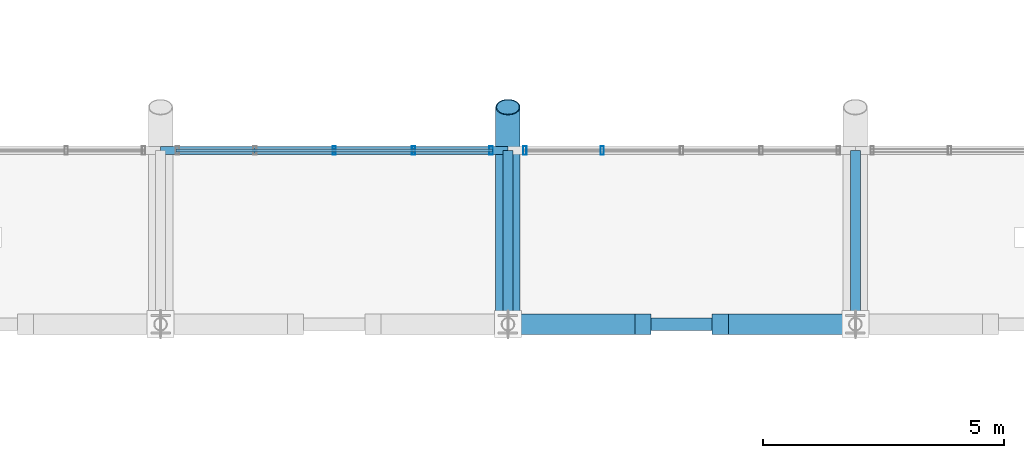
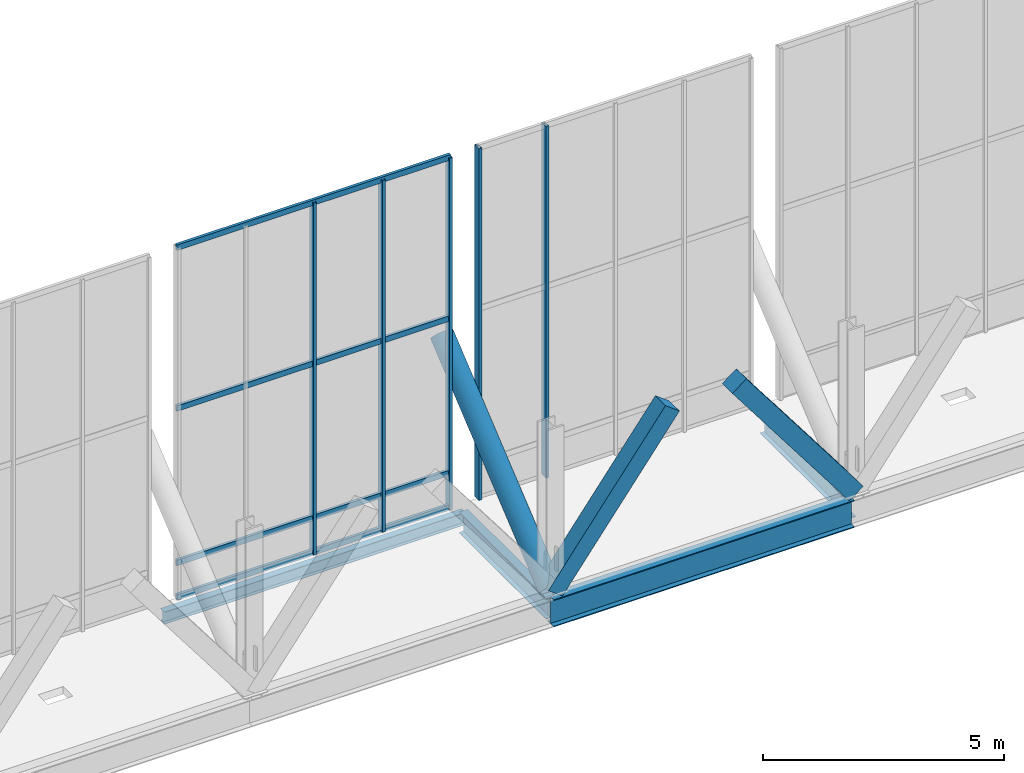
# One storey, part 30 of 102: 12 members, 4 beams, 2 elements without a shape of their own.
"""IFC4 building model written with IfcOpenShell, lengths in metres."""

from ifc_helpers import new_model, si_unit, direction, frame, origin, origin_2d, place, context, subcontext, project, spatial, rectangle, hollow_rectangle, hollow_circle, i_section, extrude, material, material_profile, profile_set, type_object, element, aggregate, save


model = new_model("IFC4")

# Units and contexts
model_context = context("Model", 3, precision=1e-05, world=origin(), true_north=direction((0.0, 1.0)))
body_context = subcontext(model_context, "Body", "Model", "MODEL_VIEW")
ifc_project = project(units=[si_unit("LENGTHUNIT", "METRE"), si_unit("AREAUNIT", "SQUARE_METRE"), si_unit("VOLUMEUNIT", "CUBIC_METRE"), si_unit("PLANEANGLEUNIT", "RADIAN"), si_unit("MASSUNIT", "GRAM", prefix="KILO")], contexts=[model_context])

# Site, building, storey
site_placement = place(None, origin())
site = spatial("IfcSite", under=ifc_project, at=site_placement, CompositionType="ELEMENT")
building_placement = place(site_placement, origin())
building = spatial("IfcBuilding", under=site, at=building_placement, Name="Yarey Park Central Fire Station", CompositionType="ELEMENT")
storey_placement = place(building_placement, frame((0.0, 0.0, 6.0)))
storey = spatial("IfcBuildingStorey", under=building, at=storey_placement, Name="L02", CompositionType="ELEMENT", Elevation=6.0)

# Curtain wall, members
ifc_material_1 = material(Name="Anodized Aluminium Frame", Category="aluminium")
curtain_wall_type = type_object("IfcCurtainWallType", Name="ENV_CW_CLER_9M", PredefinedType="NOTDEFINED", material=ifc_material_1)
curtain_wall_1_placement = place(storey_placement, origin())
curtain_wall_1 = element("IfcCurtainWall", 1, at=curtain_wall_1_placement, inside=storey, type_object=curtain_wall_type, Name="CW_V2_CLER_S_06", PredefinedType="NOTDEFINED")
ifc_material_profile_1 = material_profile(ifc_material_1, hollow_rectangle(XDim=0.070068359375, YDim=0.179931640625, WallThickness=0.00390625, at=origin_2d()), Name="ALU 180x70x4")
ifc_profile_set_1 = profile_set([ifc_material_profile_1], Name="Anodized Aluminium Frame")
member_type_1 = type_object("IfcMemberType", Name="ENV_CW_MULLION", PredefinedType="MULLION", material=ifc_profile_set_1)
member_1_placement = place(storey_placement, frame((97.199951171875, 61.199951171875, 0.0), z_axis=(0.0, 0.0, 1.0), x_axis=(1.0, 0.0, 0.0)))
member_1 = element("IfcMember", 2, at=member_1_placement, type_object=member_type_1, Name="CW_V2_CLER_S_06_MUL3", PredefinedType="MULLION", context=body_context, shape_type="SweptSolid", body=[
    extrude(hollow_rectangle(XDim=0.070068359375, YDim=0.179931640625, WallThickness=0.00390625, at=origin_2d()), origin(), (0.0, 0.0, 1.0), 8.89990234375),
])
member_2_placement = place(storey_placement, frame((98.844970703125, 61.199951171875, 0.0), z_axis=(0.0, 0.0, 1.0), x_axis=(1.0, 0.0, 0.0)))
member_2 = element("IfcMember", 3, at=member_2_placement, type_object=member_type_1, Name="CW_V2_CLER_S_06_MUL4", PredefinedType="MULLION", context=body_context, shape_type="SweptSolid", body=[
    extrude(hollow_rectangle(XDim=0.070068359375, YDim=0.179931640625, WallThickness=0.00390625, at=origin_2d()), origin(), (0.0, 0.0, 1.0), 8.89990234375),
])
member_3_placement = place(storey_placement, frame((100.449951171875, 61.199951171875, 0.0), z_axis=(0.0, 0.0, 1.0), x_axis=(1.0, 0.0, 0.0)))
member_3 = element("IfcMember", 4, at=member_3_placement, type_object=member_type_1, Name="CW_V2_CLER_S_06_MUL5", PredefinedType="MULLION", context=body_context, shape_type="SweptSolid", body=[
    extrude(hollow_rectangle(XDim=0.070068359375, YDim=0.179931640625, WallThickness=0.00390625, at=origin_2d()), origin(), (0.0, 0.0, 1.0), 8.89990234375),
])

curtain_wall_2_placement = place(storey_placement, origin())
curtain_wall_2 = element("IfcCurtainWall", 5, at=curtain_wall_2_placement, inside=storey, type_object=curtain_wall_type, Name="CW_V2_CLER_S_07", PredefinedType="NOTDEFINED")
member_4_placement = place(storey_placement, frame((101.14990234375, 61.199951171875, 0.0), z_axis=(0.0, 0.0, 1.0), x_axis=(1.0, 0.0, 0.0)))
member_4 = element("IfcMember", 6, at=member_4_placement, type_object=member_type_1, Name="CW_V2_CLER_S_07_MUL1", PredefinedType="MULLION", context=body_context, shape_type="SweptSolid", body=[
    extrude(hollow_rectangle(XDim=0.070068359375, YDim=0.179931640625, WallThickness=0.00390625, at=origin_2d()), origin(), (0.0, 0.0, 1.0), 8.89990234375),
])
member_5_placement = place(storey_placement, frame((102.7548828125, 61.199951171875, 0.0), z_axis=(0.0, 0.0, 1.0), x_axis=(1.0, 0.0, 0.0)))
member_5 = element("IfcMember", 7, at=member_5_placement, type_object=member_type_1, Name="CW_V2_CLER_S_07_MUL2", PredefinedType="MULLION", context=body_context, shape_type="SweptSolid", body=[
    extrude(hollow_rectangle(XDim=0.070068359375, YDim=0.179931640625, WallThickness=0.00390625, at=origin_2d()), origin(), (0.0, 0.0, 1.0), 8.89990234375),
])
aggregate(curtain_wall_2, [member_4, member_5])

# Member
ifc_material_profile_2 = material_profile(ifc_material_1, hollow_rectangle(XDim=0.070068359375, YDim=0.139892578125, WallThickness=0.00390625, at=origin_2d()), Name="ALU 140x70x4")
ifc_profile_set_2 = profile_set([ifc_material_profile_2], Name="Anodized Aluminium Frame")
member_type_2 = type_object("IfcMemberType", Name="ENV_CW_TRANSOM", PredefinedType="USERDEFINED", material=ifc_profile_set_2)
member_6_placement = place(storey_placement, frame((93.925048828125, 61.199951171875, 0.02490234375), z_axis=(1.0, 0.0, 0.0), x_axis=(0.0, 1.0, 0.0)))
member_6 = element("IfcMember", 8, at=member_6_placement, type_object=member_type_2, Name="CW_V2_CLER_S_06_TRN1", ObjectType="TRANSOM", PredefinedType="USERDEFINED", context=body_context, shape_type="SweptSolid", body=[
    extrude(hollow_rectangle(XDim=0.070068359375, YDim=0.139892578125, WallThickness=0.00390625, at=origin_2d()), origin(), (0.0, 0.0, 1.0), 6.550048828125),
])

member_7_placement = place(storey_placement, frame((93.925048828125, 61.199951171875, 0.89990234375), z_axis=(1.0, 0.0, 0.0), x_axis=(0.0, 1.0, 0.0)))
member_7 = element("IfcMember", 9, at=member_7_placement, type_object=member_type_2, Name="CW_V2_CLER_S_06_TRN2", ObjectType="TRANSOM", PredefinedType="USERDEFINED", context=body_context, shape_type="SweptSolid", body=[
    extrude(hollow_rectangle(XDim=0.070068359375, YDim=0.139892578125, WallThickness=0.00390625, at=origin_2d()), origin(), (0.0, 0.0, 1.0), 6.550048828125),
])

member_8_placement = place(storey_placement, frame((93.925048828125, 61.199951171875, 4.805908203125), z_axis=(1.0, 0.0, 0.0), x_axis=(0.0, 1.0, 0.0)))
member_8 = element("IfcMember", 10, at=member_8_placement, type_object=member_type_2, Name="CW_V2_CLER_S_06_TRN3", ObjectType="TRANSOM", PredefinedType="USERDEFINED", context=body_context, shape_type="SweptSolid", body=[
    extrude(hollow_rectangle(XDim=0.070068359375, YDim=0.139892578125, WallThickness=0.00390625, at=origin_2d()), origin(), (0.0, 0.0, 1.0), 6.550048828125),
])

member_9_placement = place(storey_placement, frame((93.925048828125, 61.199951171875, 8.875), z_axis=(1.0, 0.0, 0.0), x_axis=(0.0, 1.0, 0.0)))
member_9 = element("IfcMember", 11, at=member_9_placement, type_object=member_type_2, Name="CW_V2_CLER_S_06_TRN4", ObjectType="TRANSOM", PredefinedType="USERDEFINED", context=body_context, shape_type="SweptSolid", body=[
    extrude(hollow_rectangle(XDim=0.070068359375, YDim=0.139892578125, WallThickness=0.00390625, at=origin_2d()), origin(), (0.0, 0.0, 1.0), 6.550048828125),
])

aggregate(curtain_wall_1, [member_1, member_2, member_3, member_6, member_7, member_8, member_9])

# Beams
ifc_material_2 = material(Name="Steel ASTM A992 Gr. 50", Category="steel")
ifc_material_profile_3 = material_profile(ifc_material_2, i_section(OverallWidth=0.208984375, OverallDepth=0.532958984375, WebThickness=0.01025390625, FlangeThickness=0.015625, at=origin_2d()), Name="W530x92")
ifc_profile_set_3 = profile_set([ifc_material_profile_3], Name="Steel ASTM A992 Gr. 50")
beam_type_1 = type_object("IfcBeamType", Name="STR_BM_W530", PredefinedType="BEAM", material=ifc_profile_set_3)
for number, where, z_axis, x_axis, name in (
    (12, (100.800048828125, 57.60009765625, -0.46142578125), (0.0, 1.0, 0.0), (-1.0, 0.0, 0.0), "EAVE RIB S 06"),
    (13, (108.0, 57.60009765625, -0.46142578125), (0.0, 1.0, 0.0), (-1.0, 0.0, 0.0), "EAVE RIB S 07"),
):
    element("IfcBeam", number, at=place(storey_placement, frame(where, z_axis=z_axis, x_axis=x_axis)), inside=storey, type_object=beam_type_1, Name=name, PredefinedType="BEAM", context=body_context, shape_type="SweptSolid", body=[
        extrude(i_section(OverallWidth=0.208984375, OverallDepth=0.532958984375, WebThickness=0.01025390625, FlangeThickness=0.015625, at=origin_2d()), origin(), (0.0, 0.0, 1.0), 3.599853515625),
    ])
ifc_material_profile_4 = material_profile(ifc_material_2, i_section(OverallWidth=0.256103515625, OverallDepth=0.693115234375, WebThickness=0.014404296875, FlangeThickness=0.023681640625, at=origin_2d()), Name="W690x170")
ifc_profile_set_4 = profile_set([ifc_material_profile_4], Name="Steel ASTM A992 Gr. 50")
beam_type_2 = type_object("IfcBeamType", Name="STR_BM_W690", PredefinedType="BEAM", material=ifc_profile_set_4)
beam_1_placement = place(storey_placement, frame((100.800048828125, 57.60009765625, -0.54150390625), z_axis=(1.0, 0.0, 0.0), x_axis=(0.0, 1.0, 0.0)))
element("IfcBeam", 14, at=beam_1_placement, inside=storey, type_object=beam_type_2, Name="BMX L02 Y576 X1008", PredefinedType="BEAM", context=body_context, shape_type="SweptSolid", body=[
    extrude(i_section(OverallWidth=0.256103515625, OverallDepth=0.693115234375, WebThickness=0.014404296875, FlangeThickness=0.023681640625, at=origin_2d()), origin(), (0.0, 0.0, 1.0), 7.199951171875),
])

# Member
ifc_material_3 = material(Name="Steel ASTM A500 Gr. C", Category="steel")
ifc_material_profile_5 = material_profile(ifc_material_3, hollow_circle(Radius=0.25390625, WallThickness=0.02001953125, at=origin_2d()), Name="CHS 508x20")
ifc_profile_set_5 = profile_set([ifc_material_profile_5], Name="Steel ASTM A500 Gr. C")
member_type_3 = type_object("IfcMemberType", Name="STR_CHORD_CHS508", PredefinedType="CHORD", material=ifc_profile_set_5)
member_10_placement = place(storey_placement, frame((100.800048828125, 57.60009765625, 0.0), z_axis=(0.0, 0.770847459396, 0.637019775473), x_axis=(-1.0, 0.0, 0.0)))
element("IfcMember", 15, at=member_10_placement, inside=storey, type_object=member_type_3, Name="Arched Roof Truss ART_07 Bottom Chord 1", PredefinedType="CHORD", context=body_context, shape_type="SweptSolid", body=[
    extrude(hollow_circle(Radius=0.25390625, WallThickness=0.02001953125, at=origin_2d()), origin(), (0.0, 0.0, 1.0), 5.837646484375),
])

# Beam
ifc_material_profile_6 = material_profile(ifc_material_2, i_section(OverallWidth=0.1650390625, OverallDepth=0.31005859375, WebThickness=0.005859375, FlangeThickness=0.009765625, at=origin_2d()), Name="W310x39")
ifc_profile_set_6 = profile_set([ifc_material_profile_6], Name="Steel ASTM A992 Gr. 50")
beam_type_3 = type_object("IfcBeamType", Name="STR_SPN_W310", PredefinedType="SPANDREL", material=ifc_profile_set_6)
beam_2_placement = place(storey_placement, frame((93.60009765625, 61.199951171875, -0.35009765625), z_axis=(1.0, 0.0, 0.0), x_axis=(0.0, 1.0, 0.0)))
element("IfcBeam", 16, at=beam_2_placement, inside=storey, type_object=beam_type_3, Name="EAVE EDG S 05", PredefinedType="SPANDREL", context=body_context, shape_type="SweptSolid", body=[
    extrude(i_section(OverallWidth=0.1650390625, OverallDepth=0.31005859375, WebThickness=0.005859375, FlangeThickness=0.009765625, at=origin_2d()), origin(), (0.0, 0.0, 1.0), 7.199951171875),
])

# Members
ifc_material_4 = material(Name="Glulam GL28h", Category="wood")
ifc_material_profile_7 = material_profile(ifc_material_4, rectangle(XDim=0.419921875, YDim=0.419921875, at=origin_2d()), Name="GL 420x420")
ifc_profile_set_7 = profile_set([ifc_material_profile_7], Name="Glulam GL28h")
member_type_4 = type_object("IfcMemberType", Name="STR_STRUT_GL420", PredefinedType="STRUT", material=ifc_profile_set_7)
for number, where, z_axis, x_axis, name in (
    (17, (100.800048828125, 57.60009765625, 0.02001953125), (0.603454425048, 0.0, 0.797397489895), (0.0, 1.0, 0.0), "Raked Glulam Strut RGS-045"),
    (18, (108.0, 57.60009765625, 0.02001953125), (-0.603454425048, 0.0, 0.797397489895), (0.0, -1.0, 0.0), "Raked Glulam Strut RGS-050"),
):
    element("IfcMember", number, at=place(storey_placement, frame(where, z_axis=z_axis, x_axis=x_axis)), inside=storey, type_object=member_type_4, Name=name, PredefinedType="STRUT", context=body_context, shape_type="SweptSolid", body=[
        extrude(rectangle(XDim=0.419921875, YDim=0.419921875, at=origin_2d()), origin(), (0.0, 0.0, 1.0), 4.64013671875),
    ])

save(model, "model.ifc")
